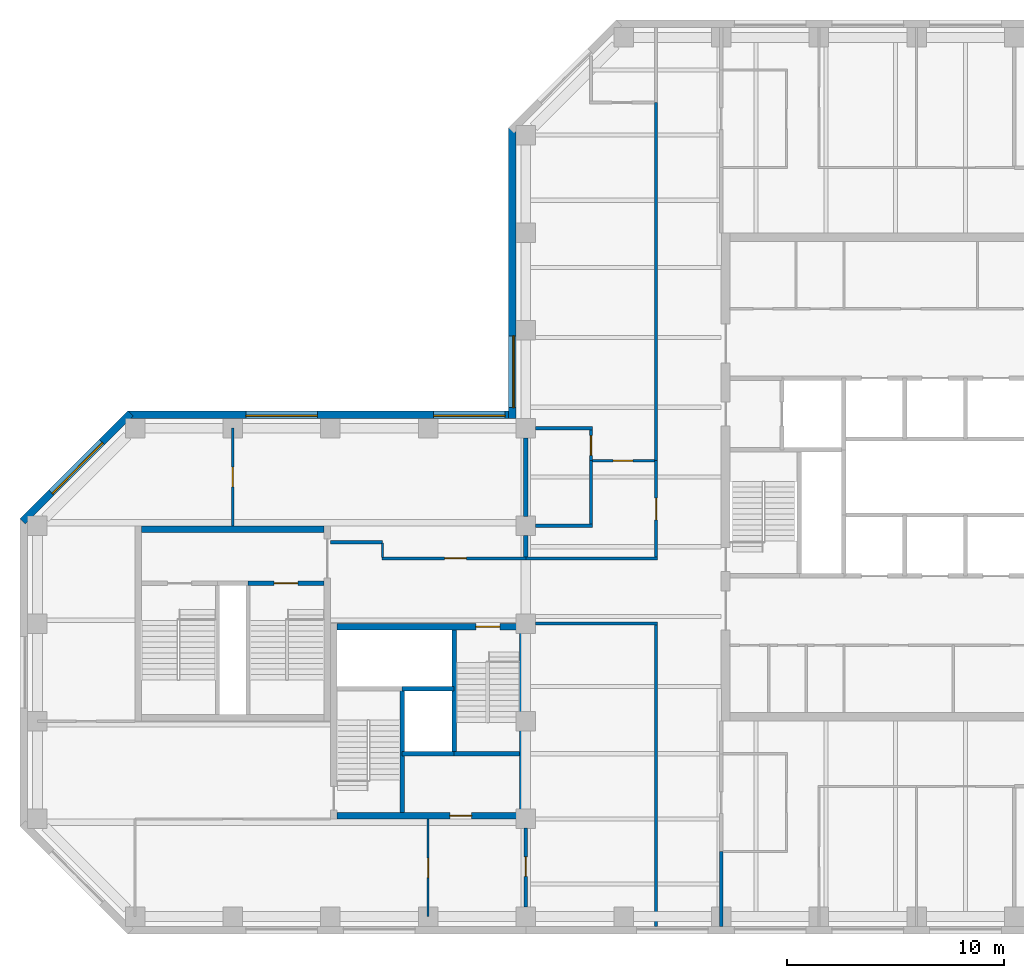
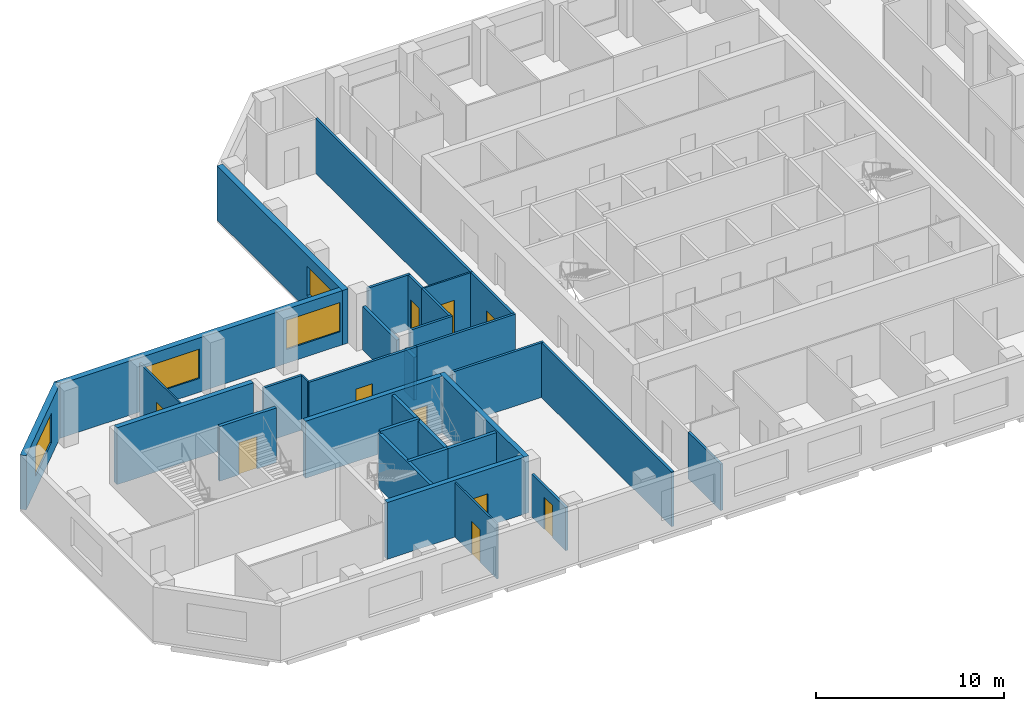
# One storey, part 3 of 9: 32 walls, 10 doors, 4 windows, 14 openings.
"""IFC4 building model written with IfcOpenShell, lengths in metres."""

import ifcopenshell
import ifcopenshell.guid

model = None  # the IFC model being written
_history = None  # IfcOwnerHistory: only IFC2X3 demands one
_inside = {}  # id of a spatial element -> (the spatial element, [elements in it])
_under = {}  # id of a project, library or spatial element -> (it, [spatial elements below it])
_declared = {}  # id of a project -> (the project, [libraries it declares])
_typed = {}  # id of a type object -> (the type object, [elements of that type])
_made_of = {}  # id of a material, layer set ... -> (it, [elements and type objects made of it])


def new_model(schema):
    """Start an empty IFC model of exactly this schema.

    Asked for "IFC4X3", IfcOpenShell would pick the latest addendum, in which some entities
    have other attributes; the version numbers below select the first issue.
    IFC2X3 requires an IfcOwnerHistory on every rooted entity: one is made here for all.
    """
    global model, _history
    if schema == "IFC4X3":
        model = ifcopenshell.file(schema_version=(4, 3, 0, 0))
    else:
        model = ifcopenshell.file(schema=schema)
    _inside.clear()
    _under.clear()
    _declared.clear()
    _typed.clear()
    _made_of.clear()
    _history = None
    if model.schema == "IFC2X3":
        org = make("IfcOrganization", Name="unknown")
        user = make(
            "IfcPersonAndOrganization",
            ThePerson=make("IfcPerson", FamilyName="unknown"),
            TheOrganization=org,
        )
        app = make(
            "IfcApplication",
            ApplicationDeveloper=org,
            Version="unknown",
            ApplicationFullName="unknown",
            ApplicationIdentifier="unknown",
        )
        _history = make(
            "IfcOwnerHistory",
            OwningUser=user,
            OwningApplication=app,
            ChangeAction="ADDED",
            CreationDate=0,
        )
    return model


def make(cls, **values):
    """One entity of the class cls with the attributes given. An attribute that is None is left unset."""
    return model.create_entity(
        cls, **{name: value for name, value in values.items() if value is not None}
    )


def rooted(cls, **values):
    """An entity with a GlobalId (a new one), such as an element, a storey or a relation."""
    return make(cls, GlobalId=ifcopenshell.guid.new(), OwnerHistory=_history, **values)


def si_unit(unit_type, name, prefix=None):
    """IfcSIUnit, for example si_unit("LENGTHUNIT", "METRE", prefix="MILLI")."""
    return make("IfcSIUnit", UnitType=unit_type, Prefix=prefix, Name=name)


def assignment(units):
    """IfcUnitAssignment: the units of a project."""
    return None if units is None else make("IfcUnitAssignment", Units=units)


def point(xyz):
    """IfcCartesianPoint."""
    return None if xyz is None else make("IfcCartesianPoint", Coordinates=xyz)


def direction(xyz):
    """IfcDirection."""
    return None if xyz is None else make("IfcDirection", DirectionRatios=xyz)


def frame(location, z_axis=None, x_axis=None):
    """IfcAxis2Placement3D, a coordinate frame: its origin and axes. An axis left out is left unset."""
    return make(
        "IfcAxis2Placement3D",
        Location=point(location),
        Axis=direction(z_axis),
        RefDirection=direction(x_axis),
    )


def frame_2d(location, x_axis=None):
    """IfcAxis2Placement2D, a coordinate frame in the plane: its origin and x axis."""
    return make(
        "IfcAxis2Placement2D", Location=point(location), RefDirection=direction(x_axis)
    )


def origin():
    """The frame at (0, 0, 0) with its axes left unset."""
    return frame((0.0, 0.0, 0.0))


def place(relative_to, where):
    """IfcLocalPlacement: puts the frame where relative to a parent placement (None: the world)."""
    return make(
        "IfcLocalPlacement", PlacementRelTo=relative_to, RelativePlacement=where
    )


def context(
    kind, dimensions, precision=None, world=None, true_north=None, identifier=None
):
    """IfcGeometricRepresentationContext, for example the 3D "Model" context."""
    return make(
        "IfcGeometricRepresentationContext",
        ContextIdentifier=identifier,
        ContextType=kind,
        CoordinateSpaceDimension=dimensions,
        Precision=precision,
        WorldCoordinateSystem=world,
        TrueNorth=true_north,
    )


def subcontext(parent, identifier, kind, view, scale=None):
    """IfcGeometricRepresentationSubContext, for example "Body" below "Model"."""
    return make(
        "IfcGeometricRepresentationSubContext",
        ContextIdentifier=identifier,
        ContextType=kind,
        ParentContext=parent,
        TargetScale=scale,
        TargetView=view,
    )


def project(units=None, contexts=None):
    """IfcProject with its units and contexts."""
    return rooted(
        "IfcProject",
        Name="project",
        RepresentationContexts=contexts,
        UnitsInContext=assignment(units),
    )


def spatial(cls, under=None, at=None, **own):
    """A site, building, storey or space (cls), placed at a placement, below another one or the project."""
    s = rooted(cls, ObjectPlacement=at, **own)
    if under is not None:
        _under.setdefault(under.id(), (under, []))[1].append(s)
    return s


def profile(cls, at=None, kind="AREA", **sizes):
    """A parametric profile (cls). Its sizes go by their IFC names, for example OverallWidth=200.0."""
    return make(cls, ProfileType=kind, Position=at, **sizes)


def rectangle(**sizes):
    """IfcRectangleProfileDef."""
    return profile("IfcRectangleProfileDef", **sizes)


def extrude(swept, where, along, depth):
    """IfcExtrudedAreaSolid: the profile swept, set in the frame where, extruded along a direction by depth."""
    return make(
        "IfcExtrudedAreaSolid",
        SweptArea=swept,
        Position=where,
        ExtrudedDirection=direction(along),
        Depth=depth,
    )


def shape(context_of_items, identifier, shape_type, items):
    """IfcShapeRepresentation: the items that make up one representation, for example the "Body"."""
    return make(
        "IfcShapeRepresentation",
        ContextOfItems=context_of_items,
        RepresentationIdentifier=identifier,
        RepresentationType=shape_type,
        Items=items,
    )


def material(Name=None, Category=None):
    """IfcMaterial."""
    return make("IfcMaterial", Name=Name, Category=Category)


def layer(
    of_material, thickness, ventilated=None, Name=None, Category=None, Priority=None
):
    """IfcMaterialLayer: one layer of a wall or slab, of a material (None: an air gap)."""
    return make(
        "IfcMaterialLayer",
        Material=of_material,
        LayerThickness=thickness,
        IsVentilated=ventilated,
        Name=Name,
        Category=Category,
        Priority=Priority,
    )


def layer_set(layers, Name=None):
    """IfcMaterialLayerSet."""
    return make("IfcMaterialLayerSet", MaterialLayers=layers, LayerSetName=Name)


def constituent(of_material, Name=None, Category=None, fraction=None):
    """IfcMaterialConstituent: one of the materials an element consists of."""
    return make(
        "IfcMaterialConstituent",
        Name=Name,
        Material=of_material,
        Fraction=fraction,
        Category=Category,
    )


def constituent_set(constituents=None, Name=None):
    """IfcMaterialConstituentSet."""
    return make(
        "IfcMaterialConstituentSet", Name=Name, MaterialConstituents=constituents
    )


def made_of(thing, what):
    """Note that an element or type object is made of a material, layer set ...; save() writes the relation."""
    if what is not None:
        _made_of.setdefault(what.id(), (what, []))[1].append(thing)
    return thing


def type_object(cls, material=None, **own):
    """A type object (cls), such as IfcWallType, which elements share."""
    return made_of(rooted(cls, **own), material)


def element(
    cls,
    number,
    at=None,
    inside=None,
    cuts=None,
    type_object=None,
    material=None,
    context=None,
    identifier="Body",
    shape_type=None,
    held_by="IfcProductDefinitionShape",
    body=None,
    shapes=None,
    **own,
):
    """One element of the class cls, such as IfcWall. Its Tag is "e" and its number.

    at: its placement. inside: the storey or other place that contains it. cuts: it is an
    opening in that element (IfcRelVoidsElement). A single representation is given by context,
    identifier, shape_type and body (its items); several are given by shapes. held_by: the class
    of the entity that holds the representations. save() writes the other relations.
    """
    e = rooted(cls, Tag="e%d" % number, ObjectPlacement=at, **own)
    if body is not None:
        shapes = [shape(context, identifier, shape_type, body)]
    if shapes is not None:
        e.Representation = make(held_by, Representations=shapes)
    if inside is not None:
        _inside.setdefault(inside.id(), (inside, []))[1].append(e)
    if cuts is not None:
        rooted(
            "IfcRelVoidsElement", RelatingBuildingElement=cuts, RelatedOpeningElement=e
        )
    if type_object is not None:
        _typed.setdefault(type_object.id(), (type_object, []))[1].append(e)
    return made_of(e, material)


def fill(opening, filler):
    """IfcRelFillsElement: the door or window that sits in an opening."""
    return rooted(
        "IfcRelFillsElement",
        RelatingOpeningElement=opening,
        RelatedBuildingElement=filler,
    )


def aggregate(whole, parts):
    """IfcRelAggregates: a whole, such as a stair, and the parts it consists of."""
    return rooted("IfcRelAggregates", RelatingObject=whole, RelatedObjects=parts)


def save(model, path):
    """Write the relations noted so far, then the file.

    IfcRelAggregates (storeys below a building ...), IfcRelContainedInSpatialStructure (elements
    in a storey), IfcRelDefinesByType, IfcRelAssociatesMaterial and IfcRelDeclares: one each for
    every whole, place, type object, material and project.
    """
    for whole, parts in _under.values():
        aggregate(whole, parts)
    for where, things in _inside.values():
        rooted(
            "IfcRelContainedInSpatialStructure",
            RelatedElements=things,
            RelatingStructure=where,
        )
    for kind, things in _typed.values():
        rooted("IfcRelDefinesByType", RelatedObjects=things, RelatingType=kind)
    for what, things in _made_of.values():
        rooted("IfcRelAssociatesMaterial", RelatedObjects=things, RelatingMaterial=what)
    for by, libraries in _declared.values():
        rooted("IfcRelDeclares", RelatingContext=by, RelatedDefinitions=libraries)
    model.write(path)


model = new_model("IFC4")

# Units and contexts
model_context = context("Model", 3, precision=1e-05, world=origin(), true_north=direction((0.0, 1.0)))
body_context = subcontext(model_context, "Body", "Model", "MODEL_VIEW")
ifc_project = project(units=[si_unit("LENGTHUNIT", "METRE"), si_unit("AREAUNIT", "SQUARE_METRE"), si_unit("VOLUMEUNIT", "CUBIC_METRE"), si_unit("PLANEANGLEUNIT", "RADIAN"), si_unit("MASSUNIT", "GRAM", prefix="KILO")], contexts=[model_context])

# Site, building, storey
site_placement = place(None, origin())
site = spatial("IfcSite", under=ifc_project, at=site_placement, CompositionType="ELEMENT")
building_placement = place(site_placement, origin())
building = spatial("IfcBuilding", under=site, at=building_placement, Name="Quoin Convention Tower", CompositionType="ELEMENT")
storey_placement = place(building_placement, frame((0.0, 0.0, 151.39990234375)))
storey = spatial("IfcBuildingStorey", under=building, at=storey_placement, Name="L39", CompositionType="ELEMENT", Elevation=151.39990234375)

# Walls
ifc_material_1 = material(Name="Plasterboard")
ifc_layer_1 = layer(ifc_material_1, 0.012451171875, Name="Finish")
ifc_material_2 = material(Name="Steel stud framing", Category="steel")
ifc_layer_2 = layer(ifc_material_2, 0.125, Name="Structure")
ifc_layer_3 = layer(ifc_material_1, 0.012451171875, Name="Finish")
ifc_layer_set_1 = layer_set([ifc_layer_1, ifc_layer_2, ifc_layer_3], Name="Steel stud framing")
wall_type_1 = type_object("IfcWallType", Name="Acoustic partition 150", PredefinedType="PARTITIONING", material=ifc_layer_set_1)
for number, where, z_axis, x_axis, name in (
    (1, (36.449951171875, 58.5, 0.0), (0.0, 0.0, 1.0), (1.0, 0.0, 0.0), "pw-L39-022"),
    (2, (36.449951171875, 63.0, 0.0), (0.0, 0.0, 1.0), (1.0, 0.0, 0.0), "pw-L39-028"),
):
    element("IfcWall", number, at=place(storey_placement, frame(where, z_axis=z_axis, x_axis=x_axis)), inside=storey, type_object=wall_type_1, Name=name, PredefinedType="PARTITIONING", context=body_context, shape_type="SweptSolid", body=[
        extrude(rectangle(XDim=2.625, YDim=0.14990234375, at=frame_2d((1.3125, 0.0))), origin(), (0.0, 0.0, 1.0), 3.550048828125),
    ])
wall_1_placement = place(storey_placement, frame((39.0, 58.574951171875, 0.0), z_axis=(0.0, 0.0, 1.0), x_axis=(0.0, 1.0, 0.0)))
element("IfcWall", 3, at=wall_1_placement, inside=storey, type_object=wall_type_1, Name="pw-L39-069", PredefinedType="PARTITIONING", context=body_context, shape_type="SweptSolid", body=[
    extrude(rectangle(XDim=2.925048828125, YDim=0.14990234375, at=frame_2d((1.46240234375, 0.0))), origin(), (0.0, 0.0, 1.0), 3.550048828125),
])

# Wall, opening, door
wall_2_placement = place(storey_placement, frame((39.0, 61.5, 0.0), z_axis=(0.0, 0.0, 1.0), x_axis=(0.0, 1.0, 0.0)))
wall_2 = element("IfcWall", 4, at=wall_2_placement, inside=storey, type_object=wall_type_1, Name="pw-L39-075", PredefinedType="PARTITIONING", context=body_context, shape_type="SweptSolid", body=[
    extrude(rectangle(XDim=1.425048828125, YDim=0.14990234375, at=frame_2d((0.71240234375, 0.0))), origin(), (0.0, 0.0, 1.0), 3.550048828125),
])
opening_1_placement = place(wall_2_placement, frame((0.25, 0.0, 0.0)))
opening_1 = element("IfcOpeningElement", 5, at=opening_1_placement, cuts=wall_2, Name="Opening DOH1-22", PredefinedType="OPENING", context=body_context, shape_type="SweptSolid", body=[
    extrude(rectangle(XDim=0.89990234375, YDim=2.10009765625, at=frame_2d((0.449951171875, 1.050048828125))), frame((0.0, 0.0849609375, 0.0), z_axis=(0.0, -1.0, 0.0), x_axis=(1.0, 0.0, 0.0)), (0.0, 0.0, 1.0), 0.169921875),
])
ifc_material_3 = material(Name="Steel door leaf", Category="steel")
door_type_1 = type_object("IfcDoorType", Name="Office door 900 x 2100", OperationType="SINGLE_SWING_RIGHT", PredefinedType="DOOR", material=ifc_material_3)
door_1_placement = place(opening_1_placement, frame((0.89990234375, 0.0, 0.0), z_axis=(0.0, 0.0, 1.0), x_axis=(-1.0, 0.0, 0.0)))
door_1 = element("IfcDoor", 6, at=door_1_placement, inside=storey, type_object=door_type_1, Name="dr-L39-15", OperationType="SINGLE_SWING_RIGHT", OverallHeight=2.10009765625, OverallWidth=0.89990234375, PredefinedType="DOOR", context=body_context, shape_type="SweptSolid", body=[
    extrude(rectangle(XDim=0.89990234375, YDim=2.10009765625, at=frame_2d((0.449951171875, 1.050048828125))), frame((0.0, 0.02490234375, 0.0), z_axis=(0.0, -1.0, 0.0), x_axis=(1.0, 0.0, 0.0)), (0.0, 0.0, 1.0), 0.050048828125),
])
fill(opening_1, door_1)

# Wall, opening, window
ifc_material_4 = material(Name="Brick masonry", Category="masonry")
ifc_layer_4 = layer(ifc_material_4, 0.35009765625)
ifc_layer_set_2 = layer_set([ifc_layer_4], Name="Brick masonry")
wall_type_2 = type_object("IfcWallType", Name="Brick facade wall", PredefinedType="STANDARD", material=ifc_layer_set_2)
wall_3_placement = place(storey_placement, frame((35.375, 76.831298828125, 0.0), z_axis=(0.0, 0.0, 1.0), x_axis=(0.0, -1.0, 0.0)))
wall_3 = element("IfcWall", 7, at=wall_3_placement, inside=storey, type_object=wall_type_2, Name="fw-L39-36000_76500", PredefinedType="STANDARD", context=body_context, shape_type="SweptSolid", body=[
    extrude(rectangle(XDim=13.38134765625, YDim=0.35009765625, at=frame_2d((6.690673828125, 0.0))), origin(), (0.0, 0.0, 1.0), 3.525146484375),
])
opening_2_placement = place(wall_3_placement, frame((9.581298828125, 0.0, 0.89990234375)))
opening_2 = element("IfcOpeningElement", 8, at=opening_2_placement, cuts=wall_3, Name="Opening W-02", PredefinedType="OPENING", context=body_context, shape_type="SweptSolid", body=[
    extrude(rectangle(XDim=3.300048828125, YDim=1.89990234375, at=frame_2d((1.64990234375, 0.949951171875))), frame((0.0, 0.18505859375, 0.0), z_axis=(0.0, -1.0, 0.0), x_axis=(1.0, 0.0, 0.0)), (0.0, 0.0, 1.0), 0.3701171875),
])
ifc_material_5 = material(Name="Aluminium", Category="aluminium")
ifc_constituent_1 = constituent(ifc_material_5, Name="Frame")
ifc_material_6 = material(Name="Insulated glass", Category="glass")
ifc_constituent_2 = constituent(ifc_material_6, Name="Glazing")
ifc_constituent_set = constituent_set(constituents=[ifc_constituent_1, ifc_constituent_2], Name="Aluminium")
window_type = type_object("IfcWindowType", Name="Office window", PartitioningType="DOUBLE_PANEL_VERTICAL", PredefinedType="WINDOW", material=ifc_constituent_set)
window_1_placement = place(opening_2_placement, origin())
window_1 = element("IfcWindow", 9, at=window_1_placement, inside=storey, type_object=window_type, Name="win-L39-35375_65250", OverallHeight=1.89990234375, OverallWidth=3.300048828125, PartitioningType="SINGLE_PANEL", PredefinedType="WINDOW", context=body_context, shape_type="SweptSolid", body=[
    extrude(rectangle(XDim=3.300048828125, YDim=1.89990234375, at=frame_2d((1.64990234375, 0.949951171875))), frame((0.0, 0.0849609375, 0.0), z_axis=(0.0, -1.0, 0.0), x_axis=(1.0, 0.0, 0.0)), (0.0, 0.0, 1.0), 0.06005859375),
])
fill(opening_2, window_1)

# Wall, openings, windows
wall_4_placement = place(storey_placement, frame((35.550048828125, 63.625, 0.0), z_axis=(0.0, 0.0, 1.0), x_axis=(-1.0, 0.0, 0.0)))
wall_4 = element("IfcWall", 10, at=wall_4_placement, inside=storey, type_object=wall_type_2, Name="fw-L39-36000_63000", PredefinedType="STANDARD", context=body_context, shape_type="SweptSolid", body=[
    extrude(rectangle(XDim=17.88134765625, YDim=0.35009765625, at=frame_2d((8.940673828125, 0.0))), origin(), (0.0, 0.0, 1.0), 3.525146484375),
])
opening_3_placement = place(wall_4_placement, frame((0.5, 0.0, 0.89990234375)))
opening_3 = element("IfcOpeningElement", 11, at=opening_3_placement, cuts=wall_4, Name="Opening W-02", PredefinedType="OPENING", context=body_context, shape_type="SweptSolid", body=[
    extrude(rectangle(XDim=3.300048828125, YDim=1.89990234375, at=frame_2d((1.64990234375, 0.949951171875))), frame((0.0, 0.18505859375, 0.0), z_axis=(0.0, -1.0, 0.0), x_axis=(1.0, 0.0, 0.0)), (0.0, 0.0, 1.0), 0.3701171875),
])
opening_4_placement = place(wall_4_placement, frame((9.14990234375, 0.0, 0.89990234375)))
opening_4 = element("IfcOpeningElement", 12, at=opening_4_placement, cuts=wall_4, Name="Opening W-02", PredefinedType="OPENING", context=body_context, shape_type="SweptSolid", body=[
    extrude(rectangle(XDim=3.300048828125, YDim=1.89990234375, at=frame_2d((1.64990234375, 0.949951171875))), frame((0.0, 0.18505859375, 0.0), z_axis=(0.0, -1.0, 0.0), x_axis=(1.0, 0.0, 0.0)), (0.0, 0.0, 1.0), 0.3701171875),
])
window_2_placement = place(opening_3_placement, origin())
window_2 = element("IfcWindow", 13, at=window_2_placement, inside=storey, type_object=window_type, Name="win-L39-33750_63625", OverallHeight=1.89990234375, OverallWidth=3.300048828125, PartitioningType="SINGLE_PANEL", PredefinedType="WINDOW", context=body_context, shape_type="SweptSolid", body=[
    extrude(rectangle(XDim=3.300048828125, YDim=1.89990234375, at=frame_2d((1.64990234375, 0.949951171875))), frame((0.0, 0.0849609375, 0.0), z_axis=(0.0, -1.0, 0.0), x_axis=(1.0, 0.0, 0.0)), (0.0, 0.0, 1.0), 0.06005859375),
])
fill(opening_3, window_2)
window_3_placement = place(opening_4_placement, origin())
window_3 = element("IfcWindow", 14, at=window_3_placement, inside=storey, type_object=window_type, Name="win-L39-24750_63625", OverallHeight=1.89990234375, OverallWidth=3.300048828125, PartitioningType="SINGLE_PANEL", PredefinedType="WINDOW", context=body_context, shape_type="SweptSolid", body=[
    extrude(rectangle(XDim=3.300048828125, YDim=1.89990234375, at=frame_2d((1.64990234375, 0.949951171875))), frame((0.0, 0.0849609375, 0.0), z_axis=(0.0, -1.0, 0.0), x_axis=(1.0, 0.0, 0.0)), (0.0, 0.0, 1.0), 0.06005859375),
])
fill(opening_4, window_3)

# Wall, opening, window
wall_5_placement = place(storey_placement, frame((17.79248046875, 63.67626953125, 0.0), z_axis=(0.0, 0.0, 1.0), x_axis=(-0.707106781187, -0.707106781187, 0.0)))
wall_5 = element("IfcWall", 15, at=wall_5_placement, inside=storey, type_object=wall_type_2, Name="fw-L39-18000_63000", PredefinedType="STANDARD", context=body_context, shape_type="SweptSolid", body=[
    extrude(rectangle(XDim=7.02685546875, YDim=0.35009765625, at=frame_2d((3.513427734375, 0.0))), origin(), (0.0, 0.0, 1.0), 3.525146484375),
])
opening_5_placement = place(wall_5_placement, frame((1.86328125, 0.0, 0.89990234375)))
opening_5 = element("IfcOpeningElement", 16, at=opening_5_placement, cuts=wall_5, Name="Opening W-02", PredefinedType="OPENING", context=body_context, shape_type="SweptSolid", body=[
    extrude(rectangle(XDim=3.300048828125, YDim=1.89990234375, at=frame_2d((1.64990234375, 0.949951171875))), frame((0.0, 0.18505859375, 0.0), z_axis=(0.0, -1.0, 0.0), x_axis=(1.0, 0.0, 0.0)), (0.0, 0.0, 1.0), 0.3701171875),
])
window_4_placement = place(opening_5_placement, origin())
window_4 = element("IfcWindow", 17, at=window_4_placement, inside=storey, type_object=window_type, Name="win-L39-15308_61192", OverallHeight=1.89990234375, OverallWidth=3.300048828125, PartitioningType="SINGLE_PANEL", PredefinedType="WINDOW", context=body_context, shape_type="SweptSolid", body=[
    extrude(rectangle(XDim=3.300048828125, YDim=1.89990234375, at=frame_2d((1.64990234375, 0.949951171875))), frame((0.0, 0.0849609375, 0.0), z_axis=(0.0, -1.0, 0.0), x_axis=(1.0, 0.0, 0.0)), (0.0, 0.0, 1.0), 0.06005859375),
])
fill(opening_5, window_4)

# Walls
ifc_material_7 = material(Name="Concrete C50", Category="concrete")
ifc_layer_5 = layer(ifc_material_7, 0.199951171875)
ifc_layer_set_3 = layer_set([ifc_layer_5], Name="Concrete C50")
wall_type_3 = type_object("IfcWallType", Name="Core shaft wall", PredefinedType="SOLIDWALL", material=ifc_layer_set_3)
wall_6_placement = place(storey_placement, frame((30.300048828125, 48.0, 0.0), z_axis=(0.0, 0.0, 1.0), x_axis=(1.0, 0.0, 0.0)))
element("IfcWall", 18, at=wall_6_placement, inside=storey, type_object=wall_type_3, Name="cr-P2-L39-h3000_3300", PredefinedType="SOLIDWALL", context=body_context, shape_type="SweptSolid", body=[
    extrude(rectangle(XDim=2.39990234375, YDim=0.199951171875, at=frame_2d((1.199951171875, 0.0))), origin(), (0.0, 0.0, 1.0), 3.550048828125),
])
wall_7_placement = place(storey_placement, frame((32.699951171875, 48.0, 0.0), z_axis=(0.0, 0.0, 1.0), x_axis=(1.0, 0.0, 0.0)))
element("IfcWall", 19, at=wall_7_placement, inside=storey, type_object=wall_type_3, Name="cr-P2-L39-h3000_5700", PredefinedType="SOLIDWALL", context=body_context, shape_type="SweptSolid", body=[
    extrude(rectangle(XDim=3.0, YDim=0.199951171875, at=frame_2d((1.5, 0.0))), origin(), (0.0, 0.0, 1.0), 3.550048828125),
])
for number, where, z_axis, x_axis, name in (
    (20, (30.300048828125, 45.300048828125, 0.0), (0.0, 0.0, 1.0), (0.0, 1.0, 0.0), "cr-P2-L39-v3300_300"),
    (21, (32.699951171875, 48.0, 0.0), (0.0, 0.0, 1.0), (0.0, 1.0, 0.0), "cr-P2-L39-v5700_3000"),
):
    element("IfcWall", number, at=place(storey_placement, frame(where, z_axis=z_axis, x_axis=x_axis)), inside=storey, type_object=wall_type_3, Name=name, PredefinedType="SOLIDWALL", context=body_context, shape_type="SweptSolid", body=[
        extrude(rectangle(XDim=5.699951171875, YDim=0.199951171875, at=frame_2d((2.85009765625, 0.0))), origin(), (0.0, 0.0, 1.0), 3.550048828125),
    ])

# Wall, opening, door
wall_8_placement = place(storey_placement, frame((23.199951171875, 55.85009765625, 0.0), z_axis=(0.0, 0.0, 1.0), x_axis=(1.0, 0.0, 0.0)))
wall_8 = element("IfcWall", 22, at=wall_8_placement, inside=storey, type_object=wall_type_3, Name="cr-P6-L39-h6350_5200", PredefinedType="SOLIDWALL", context=body_context, shape_type="SweptSolid", body=[
    extrude(rectangle(XDim=3.5, YDim=0.199951171875, at=frame_2d((1.75, 0.0))), origin(), (0.0, 0.0, 1.0), 3.550048828125),
])
opening_6_placement = place(wall_8_placement, frame((1.199951171875, 0.0, 0.0)))
opening_6 = element("IfcOpeningElement", 23, at=opening_6_placement, cuts=wall_8, Name="Opening SD12", PredefinedType="OPENING", context=body_context, shape_type="SweptSolid", body=[
    extrude(rectangle(XDim=1.10009765625, YDim=2.10009765625, at=frame_2d((0.550048828125, 1.050048828125))), frame((0.0, 0.10986328125, 0.0), z_axis=(0.0, -1.0, 0.0), x_axis=(1.0, 0.0, 0.0)), (0.0, 0.0, 1.0), 0.219970703125),
])
door_type_2 = type_object("IfcDoorType", Name="Stair door 1100 x 2100", OperationType="SINGLE_SWING_RIGHT", PredefinedType="DOOR", material=ifc_material_3)
door_2_placement = place(opening_6_placement, origin())
door_2 = element("IfcDoor", 24, at=door_2_placement, inside=storey, type_object=door_type_2, Name="cd-P6-L39-SB-R2-SD12", OperationType="SINGLE_SWING_RIGHT", OverallHeight=2.10009765625, OverallWidth=1.10009765625, PredefinedType="DOOR", context=body_context, shape_type="SweptSolid", body=[
    extrude(rectangle(XDim=1.10009765625, YDim=2.10009765625, at=frame_2d((0.550048828125, 1.050048828125))), frame((0.0, 0.02490234375, 0.0), z_axis=(0.0, -1.0, 0.0), x_axis=(1.0, 0.0, 0.0)), (0.0, 0.0, 1.0), 0.050048828125),
])
fill(opening_6, door_2)

# Walls
ifc_layer_6 = layer(ifc_material_7, 0.199951171875)
ifc_layer_set_4 = layer_set([ifc_layer_6], Name="Concrete C50")
wall_type_4 = type_object("IfcWallType", Name="Core shaft wall to the floor level over", PredefinedType="SOLIDWALL", material=ifc_layer_set_4)
wall_9_placement = place(storey_placement, frame((30.300048828125, 51.0, 0.0), z_axis=(0.0, 0.0, 1.0), x_axis=(1.0, 0.0, 0.0)))
element("IfcWall", 25, at=wall_9_placement, inside=storey, type_object=wall_type_4, Name="cr-P2-L39-h6000_3300", PredefinedType="SOLIDWALL", context=body_context, shape_type="SweptSolid", body=[
    extrude(rectangle(XDim=2.39990234375, YDim=0.199951171875, at=frame_2d((1.199951171875, 0.0))), origin(), (0.0, 0.0, 1.0), 3.7001953125),
])
ifc_layer_7 = layer(ifc_material_1, 0.012451171875, Name="Finish")
ifc_layer_8 = layer(ifc_material_2, 0.125, Name="Structure")
ifc_layer_9 = layer(ifc_material_1, 0.012451171875, Name="Finish")
ifc_layer_set_5 = layer_set([ifc_layer_7, ifc_layer_8, ifc_layer_9], Name="Steel stud framing")
wall_type_5 = type_object("IfcWallType", Name="Corridor wall 150", PredefinedType="PARTITIONING", material=ifc_layer_set_5)
wall_10_placement = place(storey_placement, frame((36.449951171875, 54.0, 0.0), z_axis=(0.0, 0.0, 1.0), x_axis=(1.0, 0.0, 0.0)))
element("IfcWall", 26, at=wall_10_placement, inside=storey, type_object=wall_type_5, Name="pw-L39-016", PredefinedType="PARTITIONING", context=body_context, shape_type="SweptSolid", body=[
    extrude(rectangle(XDim=5.625, YDim=0.14990234375, at=frame_2d((2.8125, 0.0))), origin(), (0.0, 0.0, 1.0), 3.550048828125),
])

# Wall, opening, door
wall_11_placement = place(storey_placement, frame((29.3798828125, 57.0, 0.0), z_axis=(0.0, 0.0, 1.0), x_axis=(1.0, 0.0, 0.0)))
wall_11 = element("IfcWall", 27, at=wall_11_placement, inside=storey, type_object=wall_type_5, Name="pw-L39-019", PredefinedType="PARTITIONING", context=body_context, shape_type="SweptSolid", body=[
    extrude(rectangle(XDim=6.6201171875, YDim=0.14990234375, at=frame_2d((3.31005859375, 0.0))), origin(), (0.0, 0.0, 1.0), 3.550048828125),
])
opening_7_placement = place(wall_11_placement, frame((2.8798828125, 0.0, 0.0)))
opening_7 = element("IfcOpeningElement", 28, at=opening_7_placement, cuts=wall_11, Name="Opening DOH1-05", PredefinedType="OPENING", context=body_context, shape_type="SweptSolid", body=[
    extrude(rectangle(XDim=1.0, YDim=2.10009765625, at=frame_2d((0.5, 1.050048828125))), frame((0.0, 0.0849609375, 0.0), z_axis=(0.0, -1.0, 0.0), x_axis=(1.0, 0.0, 0.0)), (0.0, 0.0, 1.0), 0.169921875),
])
door_type_3 = type_object("IfcDoorType", Name="Tenancy entrance door 1000 x 2100", OperationType="DOUBLE_DOOR_SINGLE_SWING", PredefinedType="DOOR", material=ifc_material_3)
door_3_placement = place(opening_7_placement, origin())
door_3 = element("IfcDoor", 29, at=door_3_placement, inside=storey, type_object=door_type_3, Name="dr-L39-w01", OperationType="DOUBLE_DOOR_SINGLE_SWING", OverallHeight=2.10009765625, OverallWidth=1.0, PredefinedType="DOOR", context=body_context, shape_type="SweptSolid", body=[
    extrude(rectangle(XDim=1.0, YDim=2.10009765625, at=frame_2d((0.5, 1.050048828125))), frame((0.0, 0.02490234375, 0.0), z_axis=(0.0, -1.0, 0.0), x_axis=(1.0, 0.0, 0.0)), (0.0, 0.0, 1.0), 0.050048828125),
])
fill(opening_7, door_3)

# Walls
wall_12_placement = place(storey_placement, frame((36.0, 57.0, 0.0), z_axis=(0.0, 0.0, 1.0), x_axis=(1.0, 0.0, 0.0)))
element("IfcWall", 30, at=wall_12_placement, inside=storey, type_object=wall_type_5, Name="pw-L39-020", PredefinedType="PARTITIONING", context=body_context, shape_type="SweptSolid", body=[
    extrude(rectangle(XDim=6.074951171875, YDim=0.14990234375, at=frame_2d((3.03759765625, 0.0))), origin(), (0.0, 0.0, 1.0), 3.550048828125),
])
wall_13_placement = place(storey_placement, frame((42.0, 40.050048828125, 0.0), z_axis=(0.0, 0.0, 1.0), x_axis=(0.0, 1.0, 0.0)))
element("IfcWall", 31, at=wall_13_placement, inside=storey, type_object=wall_type_5, Name="pw-L39-040", PredefinedType="PARTITIONING", context=body_context, shape_type="SweptSolid", body=[
    extrude(rectangle(XDim=13.875, YDim=0.14990234375, at=frame_2d((6.9375, 0.0))), origin(), (0.0, 0.0, 1.0), 3.550048828125),
])

# Wall, opening, door
wall_14_placement = place(storey_placement, frame((42.0, 57.074951171875, 0.0), z_axis=(0.0, 0.0, 1.0), x_axis=(0.0, 1.0, 0.0)))
wall_14 = element("IfcWall", 32, at=wall_14_placement, inside=storey, type_object=wall_type_5, Name="pw-L39-067", PredefinedType="PARTITIONING", context=body_context, shape_type="SweptSolid", body=[
    extrude(rectangle(XDim=4.425048828125, YDim=0.14990234375, at=frame_2d((2.21240234375, 0.0))), origin(), (0.0, 0.0, 1.0), 3.550048828125),
])
opening_8_placement = place(wall_14_placement, frame((1.699951171875, 0.0, 0.0)))
opening_8 = element("IfcOpeningElement", 33, at=opening_8_placement, cuts=wall_14, Name="Opening DOH1-20", PredefinedType="OPENING", context=body_context, shape_type="SweptSolid", body=[
    extrude(rectangle(XDim=1.0, YDim=2.10009765625, at=frame_2d((0.5, 1.050048828125))), frame((0.0, 0.0849609375, 0.0), z_axis=(0.0, -1.0, 0.0), x_axis=(1.0, 0.0, 0.0)), (0.0, 0.0, 1.0), 0.169921875),
])
door_4_placement = place(opening_8_placement, origin())
door_4 = element("IfcDoor", 34, at=door_4_placement, inside=storey, type_object=door_type_3, Name="dr-L39-12", OperationType="DOUBLE_DOOR_SINGLE_SWING", OverallHeight=2.10009765625, OverallWidth=1.0, PredefinedType="DOOR", context=body_context, shape_type="SweptSolid", body=[
    extrude(rectangle(XDim=1.0, YDim=2.10009765625, at=frame_2d((0.5, 1.050048828125))), frame((0.0, 0.02490234375, 0.0), z_axis=(0.0, -1.0, 0.0), x_axis=(1.0, 0.0, 0.0)), (0.0, 0.0, 1.0), 0.050048828125),
])
fill(opening_8, door_4)

# Walls
wall_15_placement = place(storey_placement, frame((42.0, 61.5, 0.0), z_axis=(0.0, 0.0, 1.0), x_axis=(0.0, 1.0, 0.0)))
element("IfcWall", 35, at=wall_15_placement, inside=storey, type_object=wall_type_5, Name="pw-L39-076", PredefinedType="PARTITIONING", context=body_context, shape_type="SweptSolid", body=[
    extrude(rectangle(XDim=16.5, YDim=0.14990234375, at=frame_2d((8.25, 0.0))), origin(), (0.0, 0.0, 1.0), 3.550048828125),
])
wall_16_placement = place(storey_placement, frame((27.0, 57.75, 0.0), z_axis=(0.0, 0.0, 1.0), x_axis=(1.0, 0.0, 0.0)))
element("IfcWall", 36, at=wall_16_placement, inside=storey, type_object=wall_type_5, Name="pw-L39-w06", PredefinedType="PARTITIONING", context=body_context, shape_type="SweptSolid", body=[
    extrude(rectangle(XDim=2.39990234375, YDim=0.14990234375, at=frame_2d((1.199951171875, 0.0))), origin(), (0.0, 0.0, 1.0), 3.550048828125),
])
ifc_layer_10 = layer(ifc_material_1, 0.012451171875, Name="Finish")
ifc_layer_11 = layer(ifc_material_2, 0.125, Name="Structure")
ifc_layer_12 = layer(ifc_material_1, 0.012451171875, Name="Finish")
ifc_layer_set_6 = layer_set([ifc_layer_10, ifc_layer_11, ifc_layer_12], Name="Steel stud framing")
wall_type_6 = type_object("IfcWallType", Name="Corridor wall 150 under beam 528", PredefinedType="PARTITIONING", material=ifc_layer_set_6)
wall_17_placement = place(storey_placement, frame((45.0, 40.050048828125, 0.0), z_axis=(0.0, 0.0, 1.0), x_axis=(0.0, 1.0, 0.0)))
element("IfcWall", 37, at=wall_17_placement, inside=storey, type_object=wall_type_6, Name="pw-L39-041", PredefinedType="PARTITIONING", context=body_context, shape_type="SweptSolid", body=[
    extrude(rectangle(XDim=3.449951171875, YDim=0.14990234375, at=frame_2d((1.72509765625, 0.0))), origin(), (0.0, 0.0, 1.0), 3.022216796875),
])

# Wall, opening, door
ifc_layer_13 = layer(ifc_material_1, 0.012451171875, Name="Finish")
ifc_layer_14 = layer(ifc_material_2, 0.125, Name="Structure")
ifc_layer_15 = layer(ifc_material_1, 0.012451171875, Name="Finish")
ifc_layer_set_7 = layer_set([ifc_layer_13, ifc_layer_14, ifc_layer_15], Name="Steel stud framing")
wall_type_7 = type_object("IfcWallType", Name="Corridor wall 150 under beam 750", PredefinedType="PARTITIONING", material=ifc_layer_set_7)
wall_18_placement = place(storey_placement, frame((36.0, 40.949951171875, 0.0), z_axis=(0.0, 0.0, 1.0), x_axis=(0.0, 1.0, 0.0)))
wall_18 = element("IfcWall", 38, at=wall_18_placement, inside=storey, type_object=wall_type_7, Name="pw-L39-048", PredefinedType="PARTITIONING", context=body_context, shape_type="SweptSolid", body=[
    extrude(rectangle(XDim=3.630126953125, YDim=0.14990234375, at=frame_2d((1.81494140625, 0.0))), origin(), (0.0, 0.0, 1.0), 2.800048828125),
])
opening_9_placement = place(wall_18_placement, frame((1.39990234375, 0.0, 0.0)))
opening_9 = element("IfcOpeningElement", 39, at=opening_9_placement, cuts=wall_18, Name="Opening DOH1-14", PredefinedType="OPENING", context=body_context, shape_type="SweptSolid", body=[
    extrude(rectangle(XDim=0.89990234375, YDim=2.10009765625, at=frame_2d((0.449951171875, 1.050048828125))), frame((0.0, 0.0849609375, 0.0), z_axis=(0.0, -1.0, 0.0), x_axis=(1.0, 0.0, 0.0)), (0.0, 0.0, 1.0), 0.169921875),
])
door_5_placement = place(opening_9_placement, frame((0.89990234375, 0.0, 0.0), z_axis=(0.0, 0.0, 1.0), x_axis=(-1.0, 0.0, 0.0)))
door_5 = element("IfcDoor", 40, at=door_5_placement, inside=storey, type_object=door_type_1, Name="dr-L39-01", OperationType="SINGLE_SWING_LEFT", OverallHeight=2.10009765625, OverallWidth=0.89990234375, PredefinedType="DOOR", context=body_context, shape_type="SweptSolid", body=[
    extrude(rectangle(XDim=0.89990234375, YDim=2.10009765625, at=frame_2d((0.449951171875, 1.050048828125))), frame((0.0, 0.02490234375, 0.0), z_axis=(0.0, -1.0, 0.0), x_axis=(1.0, 0.0, 0.0)), (0.0, 0.0, 1.0), 0.050048828125),
])
fill(opening_9, door_5)

ifc_layer_16 = layer(ifc_material_7, 0.300048828125)
ifc_layer_set_8 = layer_set([ifc_layer_16], Name="Concrete C50")
wall_type_8 = type_object("IfcWallType", Name="RC CORE WALL 300 C50", PredefinedType="SHEAR", material=ifc_layer_set_8)
wall_19_placement = place(storey_placement, frame((27.300048828125, 45.14990234375, 0.0), z_axis=(0.0, 0.0, 1.0), x_axis=(1.0, 0.0, 0.0)))
wall_19 = element("IfcWall", 41, at=wall_19_placement, inside=storey, type_object=wall_type_8, Name="cwl-P2-L39-S", PredefinedType="SHEAR", context=body_context, shape_type="SweptSolid", body=[
    extrude(rectangle(XDim=8.39990234375, YDim=0.300048828125, at=frame_2d((4.199951171875, 0.0))), origin(), (0.0, 0.0, 1.0), 3.7001953125),
])
opening_10_placement = place(wall_19_placement, frame((5.199951171875, 0.0, 0.0)))
opening_10 = element("IfcOpeningElement", 42, at=opening_10_placement, cuts=wall_19, Name="Opening DCV1-50", PredefinedType="OPENING", context=body_context, shape_type="SweptSolid", body=[
    extrude(rectangle(XDim=1.0, YDim=2.10009765625, at=frame_2d((0.5, 1.050048828125))), frame((0.0, 0.159912109375, 0.0), z_axis=(0.0, -1.0, 0.0), x_axis=(1.0, 0.0, 0.0)), (0.0, 0.0, 1.0), 0.320068359375),
])
door_type_4 = type_object("IfcDoorType", Name="Service door 1000 x 2100", OperationType="SINGLE_SWING_LEFT", PredefinedType="DOOR", material=ifc_material_3)
door_6_placement = place(opening_10_placement, frame((1.0, 0.0, 0.0), z_axis=(0.0, 0.0, 1.0), x_axis=(-1.0, 0.0, 0.0)))
door_6 = element("IfcDoor", 43, at=door_6_placement, inside=storey, type_object=door_type_4, Name="cd-P2-L39-R2-S", OperationType="SINGLE_SWING_RIGHT", OverallHeight=2.10009765625, OverallWidth=1.0, PredefinedType="DOOR", context=body_context, shape_type="SweptSolid", body=[
    extrude(rectangle(XDim=1.0, YDim=2.10009765625, at=frame_2d((0.5, 1.050048828125))), frame((0.0, 0.02490234375, 0.0), z_axis=(0.0, -1.0, 0.0), x_axis=(1.0, 0.0, 0.0)), (0.0, 0.0, 1.0), 0.050048828125),
])
fill(opening_10, door_6)

wall_20_placement = place(storey_placement, frame((27.300048828125, 53.85009765625, 0.0), z_axis=(0.0, 0.0, 1.0), x_axis=(1.0, 0.0, 0.0)))
wall_20 = element("IfcWall", 44, at=wall_20_placement, inside=storey, type_object=wall_type_8, Name="cwl-P2-L39-N", PredefinedType="SHEAR", context=body_context, shape_type="SweptSolid", body=[
    extrude(rectangle(XDim=8.39990234375, YDim=0.300048828125, at=frame_2d((4.199951171875, 0.0))), origin(), (0.0, 0.0, 1.0), 3.7001953125),
])
opening_11_placement = place(wall_20_placement, frame((6.39990234375, 0.0, 0.0)))
opening_11 = element("IfcOpeningElement", 45, at=opening_11_placement, cuts=wall_20, Name="Opening SD4", PredefinedType="OPENING", context=body_context, shape_type="SweptSolid", body=[
    extrude(rectangle(XDim=1.10009765625, YDim=2.10009765625, at=frame_2d((0.550048828125, 1.050048828125))), frame((0.0, 0.159912109375, 0.0), z_axis=(0.0, -1.0, 0.0), x_axis=(1.0, 0.0, 0.0)), (0.0, 0.0, 1.0), 0.320068359375),
])
door_7_placement = place(opening_11_placement, frame((1.10009765625, 0.0, 0.0), z_axis=(0.0, 0.0, 1.0), x_axis=(-1.0, 0.0, 0.0)))
door_7 = element("IfcDoor", 46, at=door_7_placement, inside=storey, type_object=door_type_2, Name="cd-P2-L39-SB-N", OperationType="SINGLE_SWING_LEFT", OverallHeight=2.10009765625, OverallWidth=1.10009765625, PredefinedType="DOOR", context=body_context, shape_type="SweptSolid", body=[
    extrude(rectangle(XDim=1.10009765625, YDim=2.10009765625, at=frame_2d((0.550048828125, 1.050048828125))), frame((0.0, 0.02490234375, 0.0), z_axis=(0.0, -1.0, 0.0), x_axis=(1.0, 0.0, 0.0)), (0.0, 0.0, 1.0), 0.050048828125),
])
fill(opening_11, door_7)

# Walls
wall_21_placement = place(storey_placement, frame((35.85009765625, 45.0, 0.0), z_axis=(0.0, 0.0, 1.0), x_axis=(0.0, 1.0, 0.0)))
element("IfcWall", 47, at=wall_21_placement, inside=storey, type_object=wall_type_8, Name="cwl-P2-L39-E", PredefinedType="SHEAR", context=body_context, shape_type="SweptSolid", body=[
    extrude(rectangle(XDim=9.0, YDim=0.300048828125, at=frame_2d((4.5, 0.0))), origin(), (0.0, 0.0, 1.0), 3.7001953125),
])
wall_22_placement = place(storey_placement, frame((18.300048828125, 58.35009765625, 0.0), z_axis=(0.0, 0.0, 1.0), x_axis=(1.0, 0.0, 0.0)))
element("IfcWall", 48, at=wall_22_placement, inside=storey, type_object=wall_type_8, Name="cwl-P6-L39-N", PredefinedType="SHEAR", context=body_context, shape_type="SweptSolid", body=[
    extrude(rectangle(XDim=8.39990234375, YDim=0.300048828125, at=frame_2d((4.199951171875, 0.0))), origin(), (0.0, 0.0, 1.0), 3.7001953125),
])

# Wall, opening, door
ifc_layer_17 = layer(ifc_material_1, 0.012451171875, Name="Finish")
ifc_layer_18 = layer(ifc_material_2, 0.074951171875, Name="Structure")
ifc_layer_19 = layer(ifc_material_1, 0.012451171875, Name="Finish")
ifc_layer_set_9 = layer_set([ifc_layer_17, ifc_layer_18, ifc_layer_19], Name="Steel stud framing")
wall_type_9 = type_object("IfcWallType", Name="Stud partition 100", PredefinedType="PARTITIONING", material=ifc_layer_set_9)
wall_23_placement = place(storey_placement, frame((39.074951171875, 61.5, 0.0), z_axis=(0.0, 0.0, 1.0), x_axis=(1.0, 0.0, 0.0)))
wall_23 = element("IfcWall", 49, at=wall_23_placement, inside=storey, type_object=wall_type_9, Name="pw-L39-027", PredefinedType="PARTITIONING", context=body_context, shape_type="SweptSolid", body=[
    extrude(rectangle(XDim=2.85009765625, YDim=0.10009765625, at=frame_2d((1.425048828125, 0.0))), origin(), (0.0, 0.0, 1.0), 3.550048828125),
])
opening_12_placement = place(wall_23_placement, frame((0.949951171875, 0.0, 0.0)))
opening_12 = element("IfcOpeningElement", 50, at=opening_12_placement, cuts=wall_23, Name="Opening DOH1-06", PredefinedType="OPENING", context=body_context, shape_type="SweptSolid", body=[
    extrude(rectangle(XDim=0.89990234375, YDim=2.10009765625, at=frame_2d((0.449951171875, 1.050048828125))), frame((0.0, 0.06005859375, 0.0), z_axis=(0.0, -1.0, 0.0), x_axis=(1.0, 0.0, 0.0)), (0.0, 0.0, 1.0), 0.1201171875),
])
door_8_placement = place(opening_12_placement, origin())
door_8 = element("IfcDoor", 51, at=door_8_placement, inside=storey, type_object=door_type_1, Name="dr-L39-13", OperationType="SINGLE_SWING_RIGHT", OverallHeight=2.10009765625, OverallWidth=0.89990234375, PredefinedType="DOOR", context=body_context, shape_type="SweptSolid", body=[
    extrude(rectangle(XDim=0.89990234375, YDim=2.10009765625, at=frame_2d((0.449951171875, 1.050048828125))), frame((0.0, 0.02490234375, 0.0), z_axis=(0.0, -1.0, 0.0), x_axis=(1.0, 0.0, 0.0)), (0.0, 0.0, 1.0), 0.050048828125),
])
fill(opening_12, door_8)

wall_24_placement = place(storey_placement, frame((22.5, 63.0, 0.0), z_axis=(0.0, 0.0, 1.0), x_axis=(0.0, -1.0, 0.0)))
wall_24 = element("IfcWall", 52, at=wall_24_placement, inside=storey, type_object=wall_type_9, Name="pw-L39-w01", PredefinedType="PARTITIONING", context=body_context, shape_type="SweptSolid", body=[
    extrude(rectangle(XDim=4.5, YDim=0.10009765625, at=frame_2d((2.25, 0.0))), origin(), (0.0, 0.0, 1.0), 3.550048828125),
])
opening_13_placement = place(wall_24_placement, frame((1.800048828125, 0.0, 0.0)))
opening_13 = element("IfcOpeningElement", 53, at=opening_13_placement, cuts=wall_24, Name="Opening DOH1-27", PredefinedType="OPENING", context=body_context, shape_type="SweptSolid", body=[
    extrude(rectangle(XDim=0.89990234375, YDim=2.10009765625, at=frame_2d((0.449951171875, 1.050048828125))), frame((0.0, 0.06005859375, 0.0), z_axis=(0.0, -1.0, 0.0), x_axis=(1.0, 0.0, 0.0)), (0.0, 0.0, 1.0), 0.1201171875),
])
door_9_placement = place(opening_13_placement, origin())
door_9 = element("IfcDoor", 54, at=door_9_placement, inside=storey, type_object=door_type_1, Name="dr-L39-w02", OperationType="SINGLE_SWING_LEFT", OverallHeight=2.10009765625, OverallWidth=0.89990234375, PredefinedType="DOOR", context=body_context, shape_type="SweptSolid", body=[
    extrude(rectangle(XDim=0.89990234375, YDim=2.10009765625, at=frame_2d((0.449951171875, 1.050048828125))), frame((0.0, 0.02490234375, 0.0), z_axis=(0.0, -1.0, 0.0), x_axis=(1.0, 0.0, 0.0)), (0.0, 0.0, 1.0), 0.050048828125),
])
fill(opening_13, door_9)

wall_25_placement = place(storey_placement, frame((31.5, 45.0, 0.0), z_axis=(0.0, 0.0, 1.0), x_axis=(0.0, -1.0, 0.0)))
wall_25 = element("IfcWall", 55, at=wall_25_placement, inside=storey, type_object=wall_type_9, Name="pw-L39-w05", PredefinedType="PARTITIONING", context=body_context, shape_type="SweptSolid", body=[
    extrude(rectangle(XDim=4.5, YDim=0.10009765625, at=frame_2d((2.25, 0.0))), origin(), (0.0, 0.0, 1.0), 3.550048828125),
])
opening_14_placement = place(wall_25_placement, frame((1.800048828125, 0.0, 0.0)))
opening_14 = element("IfcOpeningElement", 56, at=opening_14_placement, cuts=wall_25, Name="Opening DOH1-30", PredefinedType="OPENING", context=body_context, shape_type="SweptSolid", body=[
    extrude(rectangle(XDim=0.89990234375, YDim=2.10009765625, at=frame_2d((0.449951171875, 1.050048828125))), frame((0.0, 0.06005859375, 0.0), z_axis=(0.0, -1.0, 0.0), x_axis=(1.0, 0.0, 0.0)), (0.0, 0.0, 1.0), 0.1201171875),
])
door_10_placement = place(opening_14_placement, frame((0.89990234375, 0.0, 0.0), z_axis=(0.0, 0.0, 1.0), x_axis=(-1.0, 0.0, 0.0)))
door_10 = element("IfcDoor", 57, at=door_10_placement, inside=storey, type_object=door_type_1, Name="dr-L39-w05", OperationType="SINGLE_SWING_RIGHT", OverallHeight=2.10009765625, OverallWidth=0.89990234375, PredefinedType="DOOR", context=body_context, shape_type="SweptSolid", body=[
    extrude(rectangle(XDim=0.89990234375, YDim=2.10009765625, at=frame_2d((0.449951171875, 1.050048828125))), frame((0.0, 0.02490234375, 0.0), z_axis=(0.0, -1.0, 0.0), x_axis=(1.0, 0.0, 0.0)), (0.0, 0.0, 1.0), 0.050048828125),
])
fill(opening_14, door_10)

# Walls
wall_26_placement = place(storey_placement, frame((29.39990234375, 57.715087890625, 0.0), z_axis=(0.0, 0.0, 1.0), x_axis=(0.0, -1.0, 0.0)))
element("IfcWall", 58, at=wall_26_placement, inside=storey, type_object=wall_type_9, Name="pw-L39-w07", PredefinedType="PARTITIONING", context=body_context, shape_type="SweptSolid", body=[
    extrude(rectangle(XDim=0.68017578125, YDim=0.10009765625, at=frame_2d((0.340087890625, 0.0))), origin(), (0.0, 0.0, 1.0), 3.550048828125),
])
ifc_layer_20 = layer(ifc_material_1, 0.012451171875, Name="Finish")
ifc_layer_21 = layer(ifc_material_2, 0.175048828125, Name="Structure")
ifc_layer_22 = layer(ifc_material_1, 0.012451171875, Name="Finish")
ifc_layer_set_10 = layer_set([ifc_layer_20, ifc_layer_21, ifc_layer_22], Name="Steel stud framing")
wall_type_10 = type_object("IfcWallType", Name="Tenancy demising wall 200 under beam 750", PredefinedType="PARTITIONING", material=ifc_layer_set_10)
wall_27_placement = place(storey_placement, frame((36.0, 57.074951171875, 0.0), z_axis=(0.0, 0.0, 1.0), x_axis=(0.0, 1.0, 0.0)))
element("IfcWall", 59, at=wall_27_placement, inside=storey, type_object=wall_type_10, Name="pw-L39-066", PredefinedType="PARTITIONING", context=body_context, shape_type="SweptSolid", body=[
    extrude(rectangle(XDim=0.97509765625, YDim=0.199951171875, at=frame_2d((0.487548828125, 0.0))), origin(), (0.0, 0.0, 1.0), 2.800048828125),
])
wall_28_placement = place(storey_placement, frame((36.0, 58.919921875, 0.0), z_axis=(0.0, 0.0, 1.0), x_axis=(0.0, 1.0, 0.0)))
element("IfcWall", 60, at=wall_28_placement, inside=storey, type_object=wall_type_10, Name="pw-L39-070", PredefinedType="PARTITIONING", context=body_context, shape_type="SweptSolid", body=[
    extrude(rectangle(XDim=3.630126953125, YDim=0.199951171875, at=frame_2d((1.81494140625, 0.0))), origin(), (0.0, 0.0, 1.0), 2.800048828125),
])

save(model, "model.ifc")
